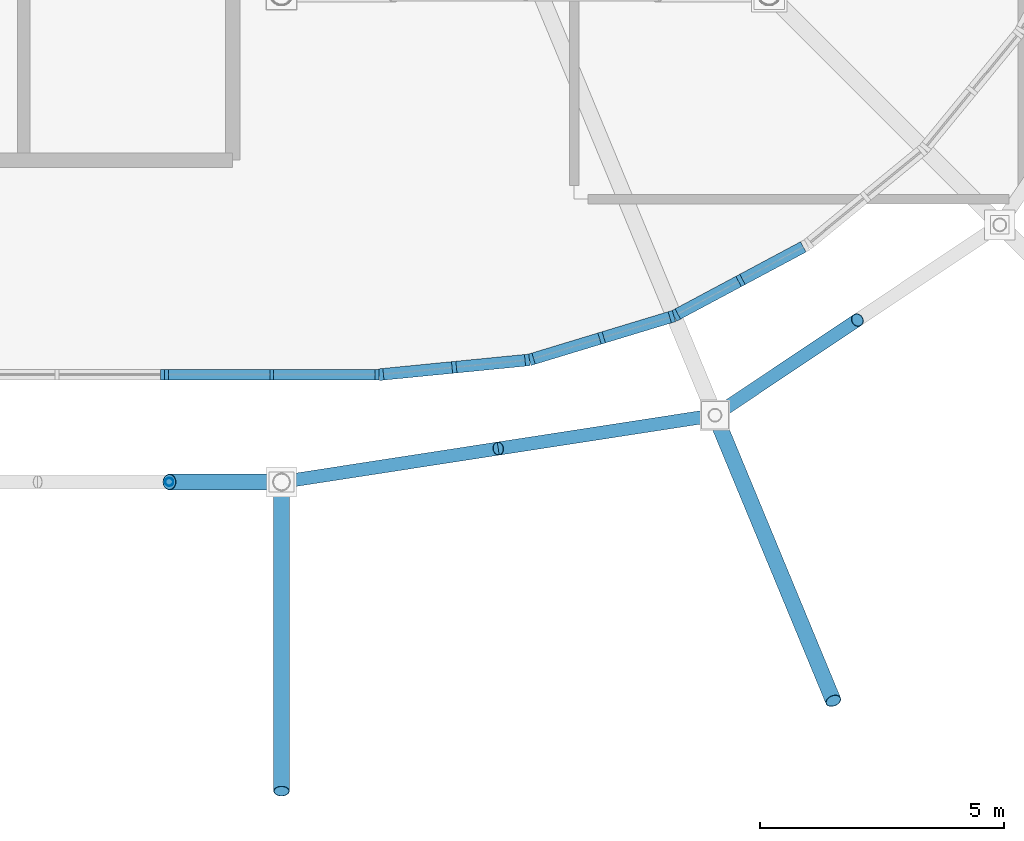
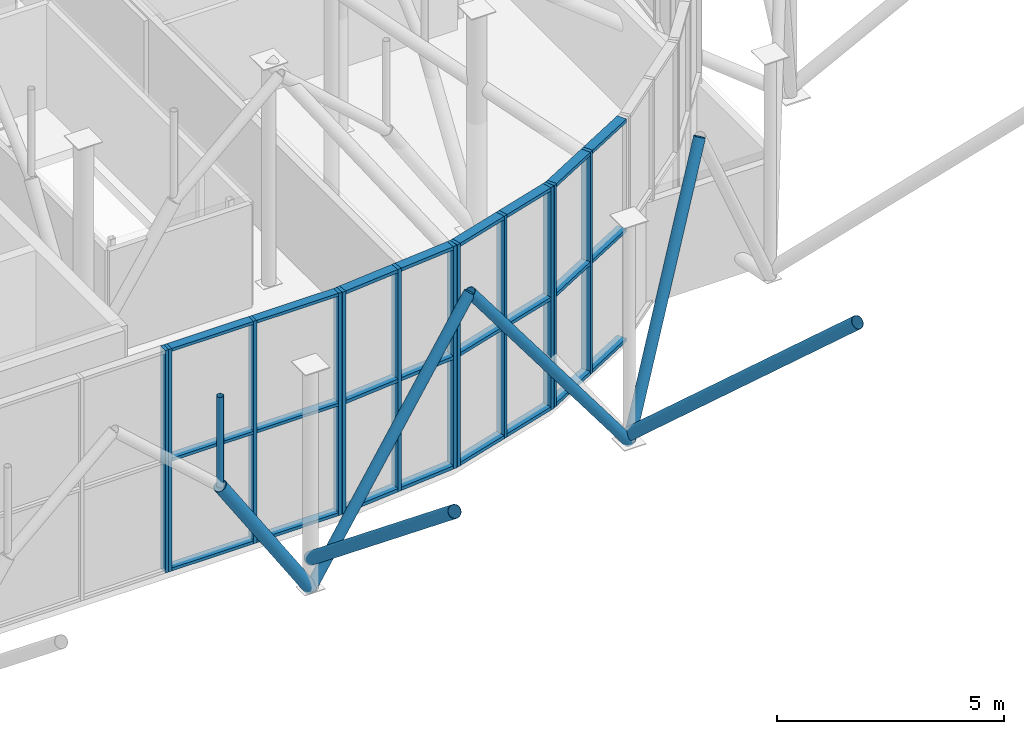
# One storey, part 64 of 109: 43 members, 5 elements without a shape of their own.
"""IFC4 building model written with IfcOpenShell, lengths in metres."""

from ifc_helpers import new_model, si_unit, derived_unit, direction, frame, origin, origin_2d_with_axis, place, context, subcontext, project, spatial, rectangle, hollow_circle, extrude, material, material_profile, profile_set, type_object, element, aggregate, save


model = new_model("IFC4")

# Units and contexts
model_context = context("Model", 3, precision=1e-05, world=origin(), true_north=direction((0.0, 1.0)))
body_context = subcontext(model_context, "Body", "Model", "MODEL_VIEW")
ifc_project = project(units=[si_unit("LENGTHUNIT", "METRE"), si_unit("AREAUNIT", "SQUARE_METRE"), si_unit("VOLUMEUNIT", "CUBIC_METRE"), si_unit("PLANEANGLEUNIT", "RADIAN"), si_unit("MASSUNIT", "GRAM", prefix="KILO"), derived_unit("THERMALTRANSMITTANCEUNIT", [(si_unit("POWERUNIT", "WATT"), 1), (si_unit("LENGTHUNIT", "METRE"), -2), (si_unit("THERMODYNAMICTEMPERATUREUNIT", "KELVIN"), -1)])], contexts=[model_context])

# Site, building, storey
site_placement = place(None, origin())
site = spatial("IfcSite", under=ifc_project, at=site_placement, CompositionType="ELEMENT")
building_placement = place(site_placement, origin())
building = spatial("IfcBuilding", under=site, at=building_placement, Name="Cinnabar Yard Market Hall", CompositionType="ELEMENT")
storey_placement = place(building_placement, frame((0.0, 0.0, 8.39990234375)))
storey = spatial("IfcBuildingStorey", under=building, at=storey_placement, Name="L02", CompositionType="ELEMENT", Elevation=8.39990234375)

# Curtain wall, members
ifc_material_1 = material(Name="Anodised bronze aluminium curved-chord facade", Category="aluminium")
curtain_wall_type_1 = type_object("IfcCurtainWallType", Name="CW-CWC031x60", PredefinedType="NOTDEFINED", material=ifc_material_1)
curtain_wall_1_placement = place(storey_placement, origin())
curtain_wall_1 = element("IfcCurtainWall", 1, at=curtain_wall_1_placement, inside=storey, type_object=curtain_wall_type_1, Name="Corner SE Chord 1 L02", PredefinedType="NOTDEFINED")
ifc_material_2 = material(Name="Anodised bronze aluminium", Category="aluminium")
ifc_material_profile_1 = material_profile(ifc_material_2, rectangle(XDim=0.239990234375, YDim=0.090087890625, at=origin_2d_with_axis()), Name="MUL-CWC")
ifc_profile_set_1 = profile_set([ifc_material_profile_1], Name="Anodised bronze aluminium")
member_type_1 = type_object("IfcMemberType", Name="CWM-CWC", PredefinedType="MULLION", material=ifc_profile_set_1)
member_1_placement = place(storey_placement, frame((148.044677734375, 16.204345703125, 0.0), z_axis=(0.0, 0.0, 1.0), x_axis=(-0.098020369342, 0.995184408637, 0.0)))
member_1 = element("IfcMember", 2, at=member_1_placement, type_object=member_type_1, Name="CWC031x60 mullion 1", PredefinedType="MULLION", context=body_context, shape_type="SweptSolid", body=[
    extrude(rectangle(XDim=0.239990234375, YDim=0.090087890625, at=origin_2d_with_axis()), origin(), (0.0, 0.0, 1.0), 5.97998046875),
])
member_2_placement = place(storey_placement, frame((149.541259765625, 16.351806640625, 0.0), z_axis=(0.0, 0.0, 1.0), x_axis=(-0.098020369342, 0.995184408637, 0.0)))
member_2 = element("IfcMember", 3, at=member_2_placement, type_object=member_type_1, Name="CWC031x60 mullion 2", PredefinedType="MULLION", context=body_context, shape_type="SweptSolid", body=[
    extrude(rectangle(XDim=0.239990234375, YDim=0.090087890625, at=origin_2d_with_axis()), origin(), (0.0, 0.0, 1.0), 5.97998046875),
])
member_3_placement = place(storey_placement, frame((151.03759765625, 16.499267578125, 0.0), z_axis=(0.0, 0.0, 1.0), x_axis=(-0.098020369342, 0.995184408637, 0.0)))
member_3 = element("IfcMember", 4, at=member_3_placement, type_object=member_type_1, Name="CWC031x60 mullion 3", PredefinedType="MULLION", context=body_context, shape_type="SweptSolid", body=[
    extrude(rectangle(XDim=0.239990234375, YDim=0.090087890625, at=origin_2d_with_axis()), origin(), (0.0, 0.0, 1.0), 5.97998046875),
])

curtain_wall_2_placement = place(storey_placement, origin())
curtain_wall_2 = element("IfcCurtainWall", 5, at=curtain_wall_2_placement, inside=storey, type_object=curtain_wall_type_1, Name="Corner SE Chord 2 L02", PredefinedType="NOTDEFINED")
member_4_placement = place(storey_placement, frame((151.12548828125, 16.5166015625, 0.0), z_axis=(0.0, 0.0, 1.0), x_axis=(-0.290278891325, 0.956942090856, 0.0)))
member_4 = element("IfcMember", 6, at=member_4_placement, type_object=member_type_1, Name="CWC031x60 mullion 1", PredefinedType="MULLION", context=body_context, shape_type="SweptSolid", body=[
    extrude(rectangle(XDim=0.239990234375, YDim=0.090087890625, at=origin_2d_with_axis()), origin(), (0.0, 0.0, 1.0), 5.97998046875),
])
member_5_placement = place(storey_placement, frame((152.564453125, 16.953125, 0.0), z_axis=(0.0, 0.0, 1.0), x_axis=(-0.290278891325, 0.956942090856, 0.0)))
member_5 = element("IfcMember", 7, at=member_5_placement, type_object=member_type_1, Name="CWC031x60 mullion 2", PredefinedType="MULLION", context=body_context, shape_type="SweptSolid", body=[
    extrude(rectangle(XDim=0.239990234375, YDim=0.090087890625, at=origin_2d_with_axis()), origin(), (0.0, 0.0, 1.0), 5.97998046875),
])
member_6_placement = place(storey_placement, frame((154.00341796875, 17.3896484375, 0.0), z_axis=(0.0, 0.0, 1.0), x_axis=(-0.290278891325, 0.956942090856, 0.0)))
member_6 = element("IfcMember", 8, at=member_6_placement, type_object=member_type_1, Name="CWC031x60 mullion 3", PredefinedType="MULLION", context=body_context, shape_type="SweptSolid", body=[
    extrude(rectangle(XDim=0.239990234375, YDim=0.090087890625, at=origin_2d_with_axis()), origin(), (0.0, 0.0, 1.0), 5.97998046875),
])

curtain_wall_3_placement = place(storey_placement, origin())
curtain_wall_3 = element("IfcCurtainWall", 9, at=curtain_wall_3_placement, inside=storey, type_object=curtain_wall_type_1, Name="Corner SE Chord 3 L02", PredefinedType="NOTDEFINED")
member_7_placement = place(storey_placement, frame((154.086181640625, 17.423828125, 0.0), z_axis=(0.0, 0.0, 1.0), x_axis=(-0.471404114786, 0.881917320707, 0.0)))
member_7 = element("IfcMember", 10, at=member_7_placement, type_object=member_type_1, Name="CWC031x60 mullion 1", PredefinedType="MULLION", context=body_context, shape_type="SweptSolid", body=[
    extrude(rectangle(XDim=0.239990234375, YDim=0.090087890625, at=origin_2d_with_axis()), origin(), (0.0, 0.0, 1.0), 5.97998046875),
])
member_8_placement = place(storey_placement, frame((155.412109375, 18.1328125, 0.0), z_axis=(0.0, 0.0, 1.0), x_axis=(-0.471404114786, 0.881917320707, 0.0)))
member_8 = element("IfcMember", 11, at=member_8_placement, type_object=member_type_1, Name="CWC031x60 mullion 2", PredefinedType="MULLION", context=body_context, shape_type="SweptSolid", body=[
    extrude(rectangle(XDim=0.239990234375, YDim=0.090087890625, at=origin_2d_with_axis()), origin(), (0.0, 0.0, 1.0), 5.97998046875),
])

# Curtain wall, member
ifc_material_3 = material(Name="Anodised bronze aluminium and low-E glass", Category="aluminium")
curtain_wall_type_2 = type_object("IfcCurtainWallType", Name="CW-CWH044x60", PredefinedType="NOTDEFINED", material=ifc_material_3)
curtain_wall_4_placement = place(storey_placement, origin())
curtain_wall_4 = element("IfcCurtainWall", 12, at=curtain_wall_4_placement, inside=storey, type_object=curtain_wall_type_2, Name="Market Hall South Upper Clerestory PTE", PredefinedType="NOTDEFINED")
ifc_material_profile_2 = material_profile(ifc_material_2, rectangle(XDim=0.219970703125, YDim=0.080078125, at=origin_2d_with_axis()), Name="MUL-CWH")
ifc_profile_set_2 = profile_set([ifc_material_profile_2], Name="Anodised bronze aluminium")
member_type_2 = type_object("IfcMemberType", Name="CWM-CWH", PredefinedType="MULLION", material=ifc_profile_set_2)
member_9_placement = place(storey_placement, frame((143.56005859375, 16.199951171875, 0.0), z_axis=(0.0, 0.0, 1.0), x_axis=(0.0, 1.0, 0.0)))
member_9 = element("IfcMember", 13, at=member_9_placement, type_object=member_type_2, Name="CWH044x60 mullion 3", PredefinedType="MULLION", context=body_context, shape_type="SweptSolid", body=[
    extrude(rectangle(XDim=0.219970703125, YDim=0.080078125, at=origin_2d_with_axis()), origin(), (0.0, 0.0, 1.0), 5.97998046875),
])
aggregate(curtain_wall_4, [member_9])

# Curtain wall, members
curtain_wall_5_placement = place(storey_placement, origin())
curtain_wall_5 = element("IfcCurtainWall", 14, at=curtain_wall_5_placement, inside=storey, type_object=curtain_wall_type_2, Name="Market Hall South Upper Clerestory B6B", PredefinedType="NOTDEFINED")
member_10_placement = place(storey_placement, frame((143.639892578125, 16.199951171875, 0.0), z_axis=(0.0, 0.0, 1.0), x_axis=(0.0, 1.0, 0.0)))
member_10 = element("IfcMember", 15, at=member_10_placement, type_object=member_type_2, Name="CWH044x60 mullion 1", PredefinedType="MULLION", context=body_context, shape_type="SweptSolid", body=[
    extrude(rectangle(XDim=0.219970703125, YDim=0.080078125, at=origin_2d_with_axis()), origin(), (0.0, 0.0, 1.0), 5.97998046875),
])
member_11_placement = place(storey_placement, frame((145.800048828125, 16.199951171875, 0.0), z_axis=(0.0, 0.0, 1.0), x_axis=(0.0, 1.0, 0.0)))
member_11 = element("IfcMember", 16, at=member_11_placement, type_object=member_type_2, Name="CWH044x60 mullion 2", PredefinedType="MULLION", context=body_context, shape_type="SweptSolid", body=[
    extrude(rectangle(XDim=0.219970703125, YDim=0.080078125, at=origin_2d_with_axis()), origin(), (0.0, 0.0, 1.0), 5.97998046875),
])
member_12_placement = place(storey_placement, frame((147.9599609375, 16.199951171875, 0.0), z_axis=(0.0, 0.0, 1.0), x_axis=(0.0, 1.0, 0.0)))
member_12 = element("IfcMember", 17, at=member_12_placement, type_object=member_type_2, Name="CWH044x60 mullion 3", PredefinedType="MULLION", context=body_context, shape_type="SweptSolid", body=[
    extrude(rectangle(XDim=0.219970703125, YDim=0.080078125, at=origin_2d_with_axis()), origin(), (0.0, 0.0, 1.0), 5.97998046875),
])

# Member
ifc_material_profile_3 = material_profile(ifc_material_2, rectangle(XDim=0.239990234375, YDim=0.090087890625, at=origin_2d_with_axis()), Name="TRN-CWC")
ifc_profile_set_3 = profile_set([ifc_material_profile_3], Name="Anodised bronze aluminium")
member_type_3 = type_object("IfcMemberType", Name="CWT-CWC", PredefinedType="USERDEFINED", material=ifc_profile_set_3)
member_13_placement = place(storey_placement, frame((148.089599609375, 16.208740234375, 0.045166015625), z_axis=(0.995176425197, 0.098101390058, 0.0), x_axis=(-0.098101390058, 0.995176425197, 0.0)))
member_13 = element("IfcMember", 18, at=member_13_placement, type_object=member_type_3, Name="CWC031x60 transom 1.1", ObjectType="TRANSOM", PredefinedType="USERDEFINED", context=body_context, shape_type="SweptSolid", body=[
    extrude(rectangle(XDim=0.239990234375, YDim=0.090087890625, at=origin_2d_with_axis()), origin(), (0.0, 0.0, 1.0), 1.41357421875),
])

member_14_placement = place(storey_placement, frame((148.089599609375, 16.208740234375, 2.989990234375), z_axis=(0.995176425197, 0.098101390058, 0.0), x_axis=(-0.098101390058, 0.995176425197, 0.0)))
member_14 = element("IfcMember", 19, at=member_14_placement, type_object=member_type_3, Name="CWC031x60 transom 1.2", ObjectType="TRANSOM", PredefinedType="USERDEFINED", context=body_context, shape_type="SweptSolid", body=[
    extrude(rectangle(XDim=0.239990234375, YDim=0.090087890625, at=origin_2d_with_axis()), origin(), (0.0, 0.0, 1.0), 1.41357421875),
])

member_15_placement = place(storey_placement, frame((148.089599609375, 16.208740234375, 5.93505859375), z_axis=(0.995176425197, 0.098101390058, 0.0), x_axis=(-0.098101390058, 0.995176425197, 0.0)))
member_15 = element("IfcMember", 20, at=member_15_placement, type_object=member_type_3, Name="CWC031x60 transom 1.3", ObjectType="TRANSOM", PredefinedType="USERDEFINED", context=body_context, shape_type="SweptSolid", body=[
    extrude(rectangle(XDim=0.239990234375, YDim=0.090087890625, at=origin_2d_with_axis()), origin(), (0.0, 0.0, 1.0), 1.41357421875),
])

member_16_placement = place(storey_placement, frame((149.5859375, 16.356201171875, 0.045166015625), z_axis=(0.995178086946, 0.098084531214, 0.0), x_axis=(-0.098084531214, 0.995178086946, 0.0)))
member_16 = element("IfcMember", 21, at=member_16_placement, type_object=member_type_3, Name="CWC031x60 transom 2.1", ObjectType="TRANSOM", PredefinedType="USERDEFINED", context=body_context, shape_type="SweptSolid", body=[
    extrude(rectangle(XDim=0.239990234375, YDim=0.090087890625, at=origin_2d_with_axis()), origin(), (0.0, 0.0, 1.0), 1.413818359375),
])

member_17_placement = place(storey_placement, frame((149.5859375, 16.356201171875, 2.989990234375), z_axis=(0.995178086946, 0.098084531214, 0.0), x_axis=(-0.098084531214, 0.995178086946, 0.0)))
member_17 = element("IfcMember", 22, at=member_17_placement, type_object=member_type_3, Name="CWC031x60 transom 2.2", ObjectType="TRANSOM", PredefinedType="USERDEFINED", context=body_context, shape_type="SweptSolid", body=[
    extrude(rectangle(XDim=0.239990234375, YDim=0.090087890625, at=origin_2d_with_axis()), origin(), (0.0, 0.0, 1.0), 1.413818359375),
])

member_18_placement = place(storey_placement, frame((149.5859375, 16.356201171875, 5.93505859375), z_axis=(0.995178086946, 0.098084531214, 0.0), x_axis=(-0.098084531214, 0.995178086946, 0.0)))
member_18 = element("IfcMember", 23, at=member_18_placement, type_object=member_type_3, Name="CWC031x60 transom 2.3", ObjectType="TRANSOM", PredefinedType="USERDEFINED", context=body_context, shape_type="SweptSolid", body=[
    extrude(rectangle(XDim=0.239990234375, YDim=0.090087890625, at=origin_2d_with_axis()), origin(), (0.0, 0.0, 1.0), 1.413818359375),
])

aggregate(curtain_wall_1, [member_1, member_2, member_3, member_13, member_14, member_15, member_16, member_17, member_18])

member_19_placement = place(storey_placement, frame((151.16845703125, 16.52978515625, 0.045166015625), z_axis=(0.956932850279, 0.290309352341, 0.0), x_axis=(-0.290309352341, 0.956932850279, 0.0)))
member_19 = element("IfcMember", 24, at=member_19_placement, type_object=member_type_3, Name="CWC031x60 transom 1.1", ObjectType="TRANSOM", PredefinedType="USERDEFINED", context=body_context, shape_type="SweptSolid", body=[
    extrude(rectangle(XDim=0.239990234375, YDim=0.090087890625, at=origin_2d_with_axis()), origin(), (0.0, 0.0, 1.0), 1.41357421875),
])

member_20_placement = place(storey_placement, frame((151.16845703125, 16.52978515625, 2.989990234375), z_axis=(0.956932850279, 0.290309352341, 0.0), x_axis=(-0.290309352341, 0.956932850279, 0.0)))
member_20 = element("IfcMember", 25, at=member_20_placement, type_object=member_type_3, Name="CWC031x60 transom 1.2", ObjectType="TRANSOM", PredefinedType="USERDEFINED", context=body_context, shape_type="SweptSolid", body=[
    extrude(rectangle(XDim=0.239990234375, YDim=0.090087890625, at=origin_2d_with_axis()), origin(), (0.0, 0.0, 1.0), 1.41357421875),
])

member_21_placement = place(storey_placement, frame((151.16845703125, 16.52978515625, 5.93505859375), z_axis=(0.956932850279, 0.290309352341, 0.0), x_axis=(-0.290309352341, 0.956932850279, 0.0)))
member_21 = element("IfcMember", 26, at=member_21_placement, type_object=member_type_3, Name="CWC031x60 transom 1.3", ObjectType="TRANSOM", PredefinedType="USERDEFINED", context=body_context, shape_type="SweptSolid", body=[
    extrude(rectangle(XDim=0.239990234375, YDim=0.090087890625, at=origin_2d_with_axis()), origin(), (0.0, 0.0, 1.0), 1.41357421875),
])

member_22_placement = place(storey_placement, frame((152.607421875, 16.96630859375, 0.045166015625), z_axis=(0.956980816915, 0.290151195166, 0.0), x_axis=(-0.290151195166, 0.956980816915, 0.0)))
member_22 = element("IfcMember", 27, at=member_22_placement, type_object=member_type_3, Name="CWC031x60 transom 2.1", ObjectType="TRANSOM", PredefinedType="USERDEFINED", context=body_context, shape_type="SweptSolid", body=[
    extrude(rectangle(XDim=0.239990234375, YDim=0.090087890625, at=origin_2d_with_axis()), origin(), (0.0, 0.0, 1.0), 1.41357421875),
])

member_23_placement = place(storey_placement, frame((152.607421875, 16.96630859375, 2.989990234375), z_axis=(0.956980816915, 0.290151195166, 0.0), x_axis=(-0.290151195166, 0.956980816915, 0.0)))
member_23 = element("IfcMember", 28, at=member_23_placement, type_object=member_type_3, Name="CWC031x60 transom 2.2", ObjectType="TRANSOM", PredefinedType="USERDEFINED", context=body_context, shape_type="SweptSolid", body=[
    extrude(rectangle(XDim=0.239990234375, YDim=0.090087890625, at=origin_2d_with_axis()), origin(), (0.0, 0.0, 1.0), 1.41357421875),
])

member_24_placement = place(storey_placement, frame((152.607421875, 16.96630859375, 5.93505859375), z_axis=(0.956980816915, 0.290151195166, 0.0), x_axis=(-0.290151195166, 0.956980816915, 0.0)))
member_24 = element("IfcMember", 29, at=member_24_placement, type_object=member_type_3, Name="CWC031x60 transom 2.3", ObjectType="TRANSOM", PredefinedType="USERDEFINED", context=body_context, shape_type="SweptSolid", body=[
    extrude(rectangle(XDim=0.239990234375, YDim=0.090087890625, at=origin_2d_with_axis()), origin(), (0.0, 0.0, 1.0), 1.41357421875),
])

aggregate(curtain_wall_2, [member_4, member_5, member_6, member_19, member_20, member_21, member_22, member_23, member_24])

member_25_placement = place(storey_placement, frame((154.125732421875, 17.445068359375, 0.045166015625), z_axis=(0.881903198965, 0.471430533224, 0.0), x_axis=(-0.471430533224, 0.881903198965, 0.0)))
member_25 = element("IfcMember", 30, at=member_25_placement, type_object=member_type_3, Name="CWC031x60 transom 1.1", ObjectType="TRANSOM", PredefinedType="USERDEFINED", context=body_context, shape_type="SweptSolid", body=[
    extrude(rectangle(XDim=0.239990234375, YDim=0.090087890625, at=origin_2d_with_axis()), origin(), (0.0, 0.0, 1.0), 1.413818359375),
])

member_26_placement = place(storey_placement, frame((154.125732421875, 17.445068359375, 2.989990234375), z_axis=(0.881903198965, 0.471430533224, 0.0), x_axis=(-0.471430533224, 0.881903198965, 0.0)))
member_26 = element("IfcMember", 31, at=member_26_placement, type_object=member_type_3, Name="CWC031x60 transom 1.2", ObjectType="TRANSOM", PredefinedType="USERDEFINED", context=body_context, shape_type="SweptSolid", body=[
    extrude(rectangle(XDim=0.239990234375, YDim=0.090087890625, at=origin_2d_with_axis()), origin(), (0.0, 0.0, 1.0), 1.413818359375),
])

member_27_placement = place(storey_placement, frame((154.125732421875, 17.445068359375, 5.93505859375), z_axis=(0.881903198965, 0.471430533224, 0.0), x_axis=(-0.471430533224, 0.881903198965, 0.0)))
member_27 = element("IfcMember", 32, at=member_27_placement, type_object=member_type_3, Name="CWC031x60 transom 1.3", ObjectType="TRANSOM", PredefinedType="USERDEFINED", context=body_context, shape_type="SweptSolid", body=[
    extrude(rectangle(XDim=0.239990234375, YDim=0.090087890625, at=origin_2d_with_axis()), origin(), (0.0, 0.0, 1.0), 1.413818359375),
])

member_28_placement = place(storey_placement, frame((155.451904296875, 18.154052734375, 0.045166015625), z_axis=(0.881974989496, 0.471296210365, 0.0), x_axis=(-0.471296210365, 0.881974989496, 0.0)))
member_28 = element("IfcMember", 33, at=member_28_placement, type_object=member_type_3, Name="CWC031x60 transom 2.1", ObjectType="TRANSOM", PredefinedType="USERDEFINED", context=body_context, shape_type="SweptSolid", body=[
    extrude(rectangle(XDim=0.239990234375, YDim=0.090087890625, at=origin_2d_with_axis()), origin(), (0.0, 0.0, 1.0), 1.41357421875),
])

member_29_placement = place(storey_placement, frame((155.451904296875, 18.154052734375, 2.989990234375), z_axis=(0.881974989496, 0.471296210365, 0.0), x_axis=(-0.471296210365, 0.881974989496, 0.0)))
member_29 = element("IfcMember", 34, at=member_29_placement, type_object=member_type_3, Name="CWC031x60 transom 2.2", ObjectType="TRANSOM", PredefinedType="USERDEFINED", context=body_context, shape_type="SweptSolid", body=[
    extrude(rectangle(XDim=0.239990234375, YDim=0.090087890625, at=origin_2d_with_axis()), origin(), (0.0, 0.0, 1.0), 1.41357421875),
])

member_30_placement = place(storey_placement, frame((155.451904296875, 18.154052734375, 5.93505859375), z_axis=(0.881974989496, 0.471296210365, 0.0), x_axis=(-0.471296210365, 0.881974989496, 0.0)))
member_30 = element("IfcMember", 35, at=member_30_placement, type_object=member_type_3, Name="CWC031x60 transom 2.3", ObjectType="TRANSOM", PredefinedType="USERDEFINED", context=body_context, shape_type="SweptSolid", body=[
    extrude(rectangle(XDim=0.239990234375, YDim=0.090087890625, at=origin_2d_with_axis()), origin(), (0.0, 0.0, 1.0), 1.41357421875),
])

aggregate(curtain_wall_3, [member_7, member_8, member_25, member_26, member_27, member_28, member_29, member_30])

ifc_material_profile_4 = material_profile(ifc_material_2, rectangle(XDim=0.219970703125, YDim=0.080078125, at=origin_2d_with_axis()), Name="TRN-CWH")
ifc_profile_set_4 = profile_set([ifc_material_profile_4], Name="Anodised bronze aluminium")
member_type_4 = type_object("IfcMemberType", Name="CWT-CWH", PredefinedType="USERDEFINED", material=ifc_profile_set_4)
member_31_placement = place(storey_placement, frame((143.679931640625, 16.199951171875, 0.0400390625), z_axis=(1.0, 0.0, 0.0), x_axis=(0.0, 1.0, 0.0)))
member_31 = element("IfcMember", 36, at=member_31_placement, type_object=member_type_4, Name="CWH044x60 transom 1.1", ObjectType="TRANSOM", PredefinedType="USERDEFINED", context=body_context, shape_type="SweptSolid", body=[
    extrude(rectangle(XDim=0.219970703125, YDim=0.080078125, at=origin_2d_with_axis()), origin(), (0.0, 0.0, 1.0), 2.080078125),
])

member_32_placement = place(storey_placement, frame((143.679931640625, 16.199951171875, 2.989990234375), z_axis=(1.0, 0.0, 0.0), x_axis=(0.0, 1.0, 0.0)))
member_32 = element("IfcMember", 37, at=member_32_placement, type_object=member_type_4, Name="CWH044x60 transom 1.2", ObjectType="TRANSOM", PredefinedType="USERDEFINED", context=body_context, shape_type="SweptSolid", body=[
    extrude(rectangle(XDim=0.219970703125, YDim=0.080078125, at=origin_2d_with_axis()), origin(), (0.0, 0.0, 1.0), 2.080078125),
])

member_33_placement = place(storey_placement, frame((143.679931640625, 16.199951171875, 5.940185546875), z_axis=(1.0, 0.0, 0.0), x_axis=(0.0, 1.0, 0.0)))
member_33 = element("IfcMember", 38, at=member_33_placement, type_object=member_type_4, Name="CWH044x60 transom 1.3", ObjectType="TRANSOM", PredefinedType="USERDEFINED", context=body_context, shape_type="SweptSolid", body=[
    extrude(rectangle(XDim=0.219970703125, YDim=0.080078125, at=origin_2d_with_axis()), origin(), (0.0, 0.0, 1.0), 2.080078125),
])

member_34_placement = place(storey_placement, frame((145.840087890625, 16.199951171875, 0.0400390625), z_axis=(1.0, 0.0, 0.0), x_axis=(0.0, 1.0, 0.0)))
member_34 = element("IfcMember", 39, at=member_34_placement, type_object=member_type_4, Name="CWH044x60 transom 2.1", ObjectType="TRANSOM", PredefinedType="USERDEFINED", context=body_context, shape_type="SweptSolid", body=[
    extrude(rectangle(XDim=0.219970703125, YDim=0.080078125, at=origin_2d_with_axis()), origin(), (0.0, 0.0, 1.0), 2.079833984375),
])

member_35_placement = place(storey_placement, frame((145.840087890625, 16.199951171875, 2.989990234375), z_axis=(1.0, 0.0, 0.0), x_axis=(0.0, 1.0, 0.0)))
member_35 = element("IfcMember", 40, at=member_35_placement, type_object=member_type_4, Name="CWH044x60 transom 2.2", ObjectType="TRANSOM", PredefinedType="USERDEFINED", context=body_context, shape_type="SweptSolid", body=[
    extrude(rectangle(XDim=0.219970703125, YDim=0.080078125, at=origin_2d_with_axis()), origin(), (0.0, 0.0, 1.0), 2.079833984375),
])

member_36_placement = place(storey_placement, frame((145.840087890625, 16.199951171875, 5.940185546875), z_axis=(1.0, 0.0, 0.0), x_axis=(0.0, 1.0, 0.0)))
member_36 = element("IfcMember", 41, at=member_36_placement, type_object=member_type_4, Name="CWH044x60 transom 2.3", ObjectType="TRANSOM", PredefinedType="USERDEFINED", context=body_context, shape_type="SweptSolid", body=[
    extrude(rectangle(XDim=0.219970703125, YDim=0.080078125, at=origin_2d_with_axis()), origin(), (0.0, 0.0, 1.0), 2.079833984375),
])

aggregate(curtain_wall_5, [member_10, member_11, member_12, member_31, member_32, member_33, member_34, member_35, member_36])

# Members
ifc_material_4 = material(Name="Spotted-gum glulam-clad steel Grade 350 (350 MPa)", Category="steel")
ifc_material_profile_5 = material_profile(ifc_material_4, hollow_circle(Radius=0.136474609375, WallThickness=0.00927734375, at=origin_2d_with_axis()), Name="273.1x9.3CHS")
ifc_profile_set_5 = profile_set([ifc_material_profile_5], Name="Spotted-gum glulam-clad steel Grade 350 (350 MPa)")
member_type_5 = type_object("IfcMemberType", Name="MB-AR01E", PredefinedType="USERDEFINED", material=ifc_profile_set_5)
for number, where, z_axis, x_axis, name in (
    (42, (146.0, 14.0, 0.0), (0.593975880497, 0.09156162834, 0.799255354441), (-0.152350933845, 0.988326460719, 0.0), "Corner Pointed Arch SE 1A"),
    (43, (154.88818359375, 15.3701171875, 0.0), (-0.593975880497, -0.09156162834, 0.799255354441), (0.152350933845, -0.988326460719, 0.0), "Corner Pointed Arch SE 1B"),
):
    element("IfcMember", number, at=place(storey_placement, frame(where, z_axis=z_axis, x_axis=x_axis)), inside=storey, type_object=member_type_5, Name=name, ObjectType="ARCH RIB", PredefinedType="USERDEFINED", context=body_context, shape_type="SweptSolid", body=[
        extrude(hollow_circle(Radius=0.136474609375, WallThickness=0.00927734375, at=origin_2d_with_axis()), origin(), (0.0, 0.0, 1.0), 7.48193359375),
    ])
member_37_placement = place(storey_placement, frame((154.88818359375, 15.3701171875, 0.0), z_axis=(0.42105010271, 0.281322020966, 0.862307793962), x_axis=(-0.555550213974, 0.831482988253, 0.0)))
element("IfcMember", 44, at=member_37_placement, inside=storey, type_object=member_type_5, Name="Corner Pointed Arch SE 2A", ObjectType="ARCH RIB", PredefinedType="USERDEFINED", context=body_context, shape_type="SweptSolid", body=[
    extrude(hollow_circle(Radius=0.136474609375, WallThickness=0.00927734375, at=origin_2d_with_axis()), origin(), (0.0, 0.0, 1.0), 6.934814453125),
])
ifc_material_profile_6 = material_profile(ifc_material_4, hollow_circle(Radius=0.161865234375, WallThickness=0.009521484375, at=origin_2d_with_axis()), Name="323.9x9.5CHS")
ifc_profile_set_6 = profile_set([ifc_material_profile_6], Name="Spotted-gum glulam-clad steel Grade 350 (350 MPa)")
member_type_6 = type_object("IfcMemberType", Name="MB-ST01E", PredefinedType="STRUT", material=ifc_profile_set_6)
member_38_placement = place(storey_placement, frame((146.0, 14.0, 0.0), z_axis=(-0.543744165176, 0.0, 0.839251024925), x_axis=(0.0, -1.0, 0.0)))
element("IfcMember", 45, at=member_38_placement, inside=storey, type_object=member_type_6, Name="Curved Branch Arm Lower 0167", PredefinedType="STRUT", context=body_context, shape_type="SweptSolid", body=[
    extrude(hollow_circle(Radius=0.161865234375, WallThickness=0.009521484375, at=origin_2d_with_axis()), origin(), (0.0, 0.0, 1.0), 4.22998046875),
])
member_39_placement = place(storey_placement, frame((154.88818359375, 15.3701171875, 0.2001953125), z_axis=(0.284586831322, -0.68704037604, 0.668570009145), x_axis=(0.923876970079, 0.382689618566, 0.0)))
element("IfcMember", 46, at=member_39_placement, inside=storey, type_object=member_type_6, Name="Corner Chhajja Bracket Arm SE-2", PredefinedType="STRUT", context=body_context, shape_type="SweptSolid", body=[
    extrude(hollow_circle(Radius=0.161865234375, WallThickness=0.009521484375, at=origin_2d_with_axis()), origin(), (0.0, 0.0, 1.0), 8.525634765625),
])
member_40_placement = place(storey_placement, frame((146.0, 14.0, 0.800048828125), z_axis=(0.0, -0.779185735248, 0.626793099824), x_axis=(1.0, 0.0, 0.0)))
element("IfcMember", 47, at=member_40_placement, inside=storey, type_object=member_type_6, Name="South Chhajja Bracket Arm 146", PredefinedType="STRUT", context=body_context, shape_type="SweptSolid", body=[
    extrude(hollow_circle(Radius=0.161865234375, WallThickness=0.009521484375, at=origin_2d_with_axis()), origin(), (0.0, 0.0, 1.0), 8.13671875),
])
ifc_material_5 = material(Name="Cold-formed steel C350L0", Category="steel")
ifc_material_profile_7 = material_profile(ifc_material_5, hollow_circle(Radius=0.084228515625, WallThickness=0.00634765625, at=origin_2d_with_axis()), Name="168.3x6.4CHS")
ifc_profile_set_7 = profile_set([ifc_material_profile_7], Name="Cold-formed steel C350L0")
member_type_7 = type_object("IfcMemberType", Name="MB-WB01E", PredefinedType="STRUT", material=ifc_profile_set_7)
member_41_placement = place(storey_placement, frame((143.699951171875, 14.0, 3.550048828125), z_axis=(0.0, 0.0, 1.0), x_axis=(1.0, 0.0, 0.0)))
element("IfcMember", 48, at=member_41_placement, inside=storey, type_object=member_type_7, Name="Arch Spandrel Post 0167", PredefinedType="STRUT", context=body_context, shape_type="SweptSolid", body=[
    extrude(hollow_circle(Radius=0.084228515625, WallThickness=0.00634765625, at=origin_2d_with_axis()), origin(), (0.0, 0.0, 1.0), 2.429931640625),
])

save(model, "model.ifc")
